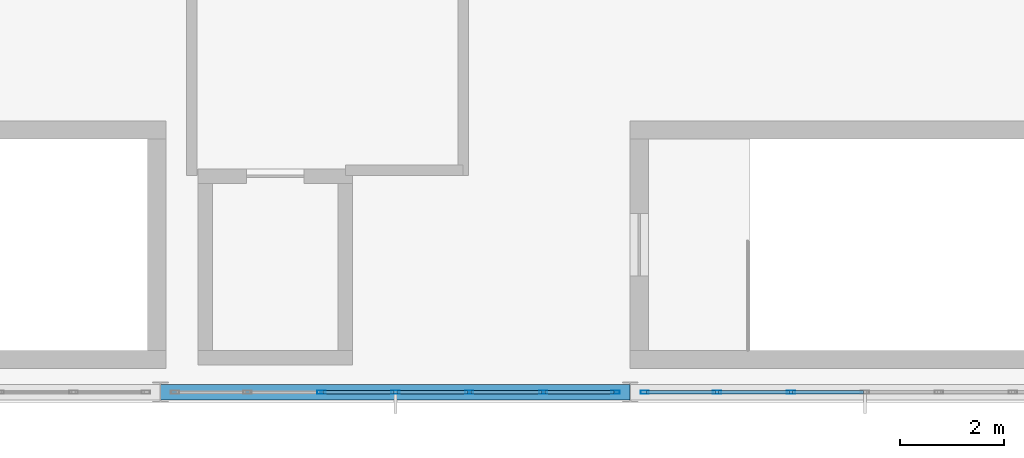
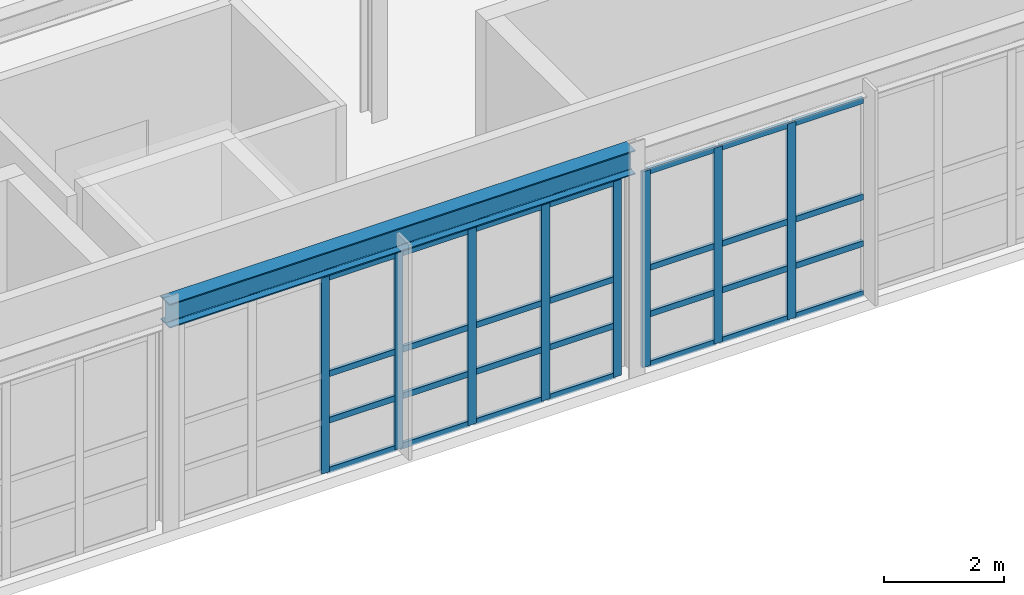
# One storey, part 9 of 38: 36 members, 1 beam, 2 elements without a shape of their own.
"""IFC4 building model written with IfcOpenShell, lengths in metres."""

import ifcopenshell
import ifcopenshell.guid

model = None  # the IFC model being written
_history = None  # IfcOwnerHistory: only IFC2X3 demands one
_inside = {}  # id of a spatial element -> (the spatial element, [elements in it])
_under = {}  # id of a project, library or spatial element -> (it, [spatial elements below it])
_declared = {}  # id of a project -> (the project, [libraries it declares])
_typed = {}  # id of a type object -> (the type object, [elements of that type])
_made_of = {}  # id of a material, layer set ... -> (it, [elements and type objects made of it])


def new_model(schema):
    """Start an empty IFC model of exactly this schema.

    Asked for "IFC4X3", IfcOpenShell would pick the latest addendum, in which some entities
    have other attributes; the version numbers below select the first issue.
    IFC2X3 requires an IfcOwnerHistory on every rooted entity: one is made here for all.
    """
    global model, _history
    if schema == "IFC4X3":
        model = ifcopenshell.file(schema_version=(4, 3, 0, 0))
    else:
        model = ifcopenshell.file(schema=schema)
    _inside.clear()
    _under.clear()
    _declared.clear()
    _typed.clear()
    _made_of.clear()
    _history = None
    if model.schema == "IFC2X3":
        org = make("IfcOrganization", Name="unknown")
        user = make(
            "IfcPersonAndOrganization",
            ThePerson=make("IfcPerson", FamilyName="unknown"),
            TheOrganization=org,
        )
        app = make(
            "IfcApplication",
            ApplicationDeveloper=org,
            Version="unknown",
            ApplicationFullName="unknown",
            ApplicationIdentifier="unknown",
        )
        _history = make(
            "IfcOwnerHistory",
            OwningUser=user,
            OwningApplication=app,
            ChangeAction="ADDED",
            CreationDate=0,
        )
    return model


def make(cls, **values):
    """One entity of the class cls with the attributes given. An attribute that is None is left unset."""
    return model.create_entity(
        cls, **{name: value for name, value in values.items() if value is not None}
    )


def rooted(cls, **values):
    """An entity with a GlobalId (a new one), such as an element, a storey or a relation."""
    return make(cls, GlobalId=ifcopenshell.guid.new(), OwnerHistory=_history, **values)


def si_unit(unit_type, name, prefix=None):
    """IfcSIUnit, for example si_unit("LENGTHUNIT", "METRE", prefix="MILLI")."""
    return make("IfcSIUnit", UnitType=unit_type, Prefix=prefix, Name=name)


def assignment(units):
    """IfcUnitAssignment: the units of a project."""
    return None if units is None else make("IfcUnitAssignment", Units=units)


def point(xyz):
    """IfcCartesianPoint."""
    return None if xyz is None else make("IfcCartesianPoint", Coordinates=xyz)


def direction(xyz):
    """IfcDirection."""
    return None if xyz is None else make("IfcDirection", DirectionRatios=xyz)


def frame(location, z_axis=None, x_axis=None):
    """IfcAxis2Placement3D, a coordinate frame: its origin and axes. An axis left out is left unset."""
    return make(
        "IfcAxis2Placement3D",
        Location=point(location),
        Axis=direction(z_axis),
        RefDirection=direction(x_axis),
    )


def frame_2d(location, x_axis=None):
    """IfcAxis2Placement2D, a coordinate frame in the plane: its origin and x axis."""
    return make(
        "IfcAxis2Placement2D", Location=point(location), RefDirection=direction(x_axis)
    )


def origin():
    """The frame at (0, 0, 0) with its axes left unset."""
    return frame((0.0, 0.0, 0.0))


def origin_2d():
    """The frame at (0, 0) in the plane with its x axis left unset."""
    return frame_2d((0.0, 0.0))


def place(relative_to, where):
    """IfcLocalPlacement: puts the frame where relative to a parent placement (None: the world)."""
    return make(
        "IfcLocalPlacement", PlacementRelTo=relative_to, RelativePlacement=where
    )


def context(
    kind, dimensions, precision=None, world=None, true_north=None, identifier=None
):
    """IfcGeometricRepresentationContext, for example the 3D "Model" context."""
    return make(
        "IfcGeometricRepresentationContext",
        ContextIdentifier=identifier,
        ContextType=kind,
        CoordinateSpaceDimension=dimensions,
        Precision=precision,
        WorldCoordinateSystem=world,
        TrueNorth=true_north,
    )


def subcontext(parent, identifier, kind, view, scale=None):
    """IfcGeometricRepresentationSubContext, for example "Body" below "Model"."""
    return make(
        "IfcGeometricRepresentationSubContext",
        ContextIdentifier=identifier,
        ContextType=kind,
        ParentContext=parent,
        TargetScale=scale,
        TargetView=view,
    )


def project(units=None, contexts=None):
    """IfcProject with its units and contexts."""
    return rooted(
        "IfcProject",
        Name="project",
        RepresentationContexts=contexts,
        UnitsInContext=assignment(units),
    )


def spatial(cls, under=None, at=None, **own):
    """A site, building, storey or space (cls), placed at a placement, below another one or the project."""
    s = rooted(cls, ObjectPlacement=at, **own)
    if under is not None:
        _under.setdefault(under.id(), (under, []))[1].append(s)
    return s


def profile(cls, at=None, kind="AREA", **sizes):
    """A parametric profile (cls). Its sizes go by their IFC names, for example OverallWidth=200.0."""
    return make(cls, ProfileType=kind, Position=at, **sizes)


def hollow_rectangle(**sizes):
    """IfcRectangleHollowProfileDef."""
    return profile("IfcRectangleHollowProfileDef", **sizes)


def i_section(**sizes):
    """IfcIShapeProfileDef."""
    return profile("IfcIShapeProfileDef", **sizes)


def extrude(swept, where, along, depth):
    """IfcExtrudedAreaSolid: the profile swept, set in the frame where, extruded along a direction by depth."""
    return make(
        "IfcExtrudedAreaSolid",
        SweptArea=swept,
        Position=where,
        ExtrudedDirection=direction(along),
        Depth=depth,
    )


def shape(context_of_items, identifier, shape_type, items):
    """IfcShapeRepresentation: the items that make up one representation, for example the "Body"."""
    return make(
        "IfcShapeRepresentation",
        ContextOfItems=context_of_items,
        RepresentationIdentifier=identifier,
        RepresentationType=shape_type,
        Items=items,
    )


def material(Name=None, Category=None):
    """IfcMaterial."""
    return make("IfcMaterial", Name=Name, Category=Category)


def material_profile(
    of_material, cross_section, Name=None, Category=None, Priority=None
):
    """IfcMaterialProfile: a cross section and its material."""
    return make(
        "IfcMaterialProfile",
        Name=Name,
        Material=of_material,
        Profile=cross_section,
        Priority=Priority,
        Category=Category,
    )


def profile_set(profiles, Name=None, composite=None):
    """IfcMaterialProfileSet."""
    return make(
        "IfcMaterialProfileSet",
        Name=Name,
        MaterialProfiles=profiles,
        CompositeProfile=composite,
    )


def made_of(thing, what):
    """Note that an element or type object is made of a material, layer set ...; save() writes the relation."""
    if what is not None:
        _made_of.setdefault(what.id(), (what, []))[1].append(thing)
    return thing


def type_object(cls, material=None, **own):
    """A type object (cls), such as IfcWallType, which elements share."""
    return made_of(rooted(cls, **own), material)


def element(
    cls,
    number,
    at=None,
    inside=None,
    cuts=None,
    type_object=None,
    material=None,
    context=None,
    identifier="Body",
    shape_type=None,
    held_by="IfcProductDefinitionShape",
    body=None,
    shapes=None,
    **own,
):
    """One element of the class cls, such as IfcWall. Its Tag is "e" and its number.

    at: its placement. inside: the storey or other place that contains it. cuts: it is an
    opening in that element (IfcRelVoidsElement). A single representation is given by context,
    identifier, shape_type and body (its items); several are given by shapes. held_by: the class
    of the entity that holds the representations. save() writes the other relations.
    """
    e = rooted(cls, Tag="e%d" % number, ObjectPlacement=at, **own)
    if body is not None:
        shapes = [shape(context, identifier, shape_type, body)]
    if shapes is not None:
        e.Representation = make(held_by, Representations=shapes)
    if inside is not None:
        _inside.setdefault(inside.id(), (inside, []))[1].append(e)
    if cuts is not None:
        rooted(
            "IfcRelVoidsElement", RelatingBuildingElement=cuts, RelatedOpeningElement=e
        )
    if type_object is not None:
        _typed.setdefault(type_object.id(), (type_object, []))[1].append(e)
    return made_of(e, material)


def aggregate(whole, parts):
    """IfcRelAggregates: a whole, such as a stair, and the parts it consists of."""
    return rooted("IfcRelAggregates", RelatingObject=whole, RelatedObjects=parts)


def save(model, path):
    """Write the relations noted so far, then the file.

    IfcRelAggregates (storeys below a building ...), IfcRelContainedInSpatialStructure (elements
    in a storey), IfcRelDefinesByType, IfcRelAssociatesMaterial and IfcRelDeclares: one each for
    every whole, place, type object, material and project.
    """
    for whole, parts in _under.values():
        aggregate(whole, parts)
    for where, things in _inside.values():
        rooted(
            "IfcRelContainedInSpatialStructure",
            RelatedElements=things,
            RelatingStructure=where,
        )
    for kind, things in _typed.values():
        rooted("IfcRelDefinesByType", RelatedObjects=things, RelatingType=kind)
    for what, things in _made_of.values():
        rooted("IfcRelAssociatesMaterial", RelatedObjects=things, RelatingMaterial=what)
    for by, libraries in _declared.values():
        rooted("IfcRelDeclares", RelatingContext=by, RelatedDefinitions=libraries)
    model.write(path)


model = new_model("IFC4")

# Units and contexts
model_context = context("Model", 3, precision=1e-05, world=origin(), true_north=direction((0.0, 1.0)))
body_context = subcontext(model_context, "Body", "Model", "MODEL_VIEW")
ifc_project = project(units=[si_unit("LENGTHUNIT", "METRE"), si_unit("AREAUNIT", "SQUARE_METRE"), si_unit("VOLUMEUNIT", "CUBIC_METRE"), si_unit("PLANEANGLEUNIT", "RADIAN"), si_unit("MASSUNIT", "GRAM", prefix="KILO")], contexts=[model_context])

# Site, building, storey
site_placement = place(None, origin())
site = spatial("IfcSite", under=ifc_project, at=site_placement, CompositionType="ELEMENT")
building_placement = place(site_placement, origin())
building = spatial("IfcBuilding", under=site, at=building_placement, Name="Kaldris Quays Convention Centre", CompositionType="ELEMENT")
storey_placement = place(building_placement, frame((0.0, 0.0, 21.60009765625)))
storey = spatial("IfcBuildingStorey", under=building, at=storey_placement, Name="L04", CompositionType="ELEMENT", Elevation=21.60009765625)

# Curtain wall, members
ifc_material_1 = material(Name="Anodized aluminium AW-6060 and triple glazing", Category="aluminium")
curtain_wall_type = type_object("IfcCurtainWallType", Name="UNITISED CURTAIN WALL CW04", PredefinedType="NOTDEFINED", material=ifc_material_1)
curtain_wall_1_placement = place(storey_placement, origin())
curtain_wall_1 = element("IfcCurtainWall", 1, at=curtain_wall_1_placement, inside=storey, type_object=curtain_wall_type, Name="L04 Unitised Curtain Wall CW04 130", PredefinedType="NOTDEFINED")
ifc_material_2 = material(Name="Anodized aluminium AW-6060", Category="aluminium")
ifc_material_profile_1 = material_profile(ifc_material_2, hollow_rectangle(XDim=0.06005859375, YDim=0.159912109375, WallThickness=0.00390625, at=origin_2d()), Name="RHS 160x60x4")
ifc_profile_set_1 = profile_set([ifc_material_profile_1], Name="Anodized aluminium AW-6060")
member_type_1 = type_object("IfcMemberType", Name="CURTAIN MULLION CWM1", PredefinedType="MULLION", material=ifc_profile_set_1)
member_1_placement = place(storey_placement, frame((104.083251953125, 38.0, 0.0), z_axis=(0.0, 0.0, 1.0), x_axis=(0.0, 1.0, 0.0)))
member_1 = element("IfcMember", 2, at=member_1_placement, type_object=member_type_1, Name="CW04 mullion 3", PredefinedType="MULLION", context=body_context, shape_type="SweptSolid", body=[
    extrude(hollow_rectangle(XDim=0.06005859375, YDim=0.159912109375, WallThickness=0.00390625, at=origin_2d()), origin(), (0.0, 0.0, 1.0), 4.0),
])
member_2_placement = place(storey_placement, frame((105.5, 38.0, 0.0), z_axis=(0.0, 0.0, 1.0), x_axis=(0.0, 1.0, 0.0)))
member_2 = element("IfcMember", 3, at=member_2_placement, type_object=member_type_1, Name="CW04 mullion 4", PredefinedType="MULLION", context=body_context, shape_type="SweptSolid", body=[
    extrude(hollow_rectangle(XDim=0.06005859375, YDim=0.159912109375, WallThickness=0.00390625, at=origin_2d()), origin(), (0.0, 0.0, 1.0), 4.0),
])
member_3_placement = place(storey_placement, frame((106.916748046875, 38.0, 0.0), z_axis=(0.0, 0.0, 1.0), x_axis=(0.0, 1.0, 0.0)))
member_3 = element("IfcMember", 4, at=member_3_placement, type_object=member_type_1, Name="CW04 mullion 5", PredefinedType="MULLION", context=body_context, shape_type="SweptSolid", body=[
    extrude(hollow_rectangle(XDim=0.06005859375, YDim=0.159912109375, WallThickness=0.00390625, at=origin_2d()), origin(), (0.0, 0.0, 1.0), 4.0),
])
member_4_placement = place(storey_placement, frame((108.333251953125, 38.0, 0.0), z_axis=(0.0, 0.0, 1.0), x_axis=(0.0, 1.0, 0.0)))
member_4 = element("IfcMember", 5, at=member_4_placement, type_object=member_type_1, Name="CW04 mullion 6", PredefinedType="MULLION", context=body_context, shape_type="SweptSolid", body=[
    extrude(hollow_rectangle(XDim=0.06005859375, YDim=0.159912109375, WallThickness=0.00390625, at=origin_2d()), origin(), (0.0, 0.0, 1.0), 4.0),
])
member_5_placement = place(storey_placement, frame((109.719970703125, 38.0, 0.0), z_axis=(0.0, 0.0, 1.0), x_axis=(0.0, 1.0, 0.0)))
member_5 = element("IfcMember", 6, at=member_5_placement, type_object=member_type_1, Name="CW04 mullion 7", PredefinedType="MULLION", context=body_context, shape_type="SweptSolid", body=[
    extrude(hollow_rectangle(XDim=0.06005859375, YDim=0.159912109375, WallThickness=0.00390625, at=origin_2d()), origin(), (0.0, 0.0, 1.0), 4.0),
])

curtain_wall_2_placement = place(storey_placement, origin())
curtain_wall_2 = element("IfcCurtainWall", 7, at=curtain_wall_2_placement, inside=storey, type_object=curtain_wall_type, Name="L04 Unitised Curtain Wall CW04 131", PredefinedType="NOTDEFINED")
member_6_placement = place(storey_placement, frame((110.280029296875, 38.0, 0.0), z_axis=(0.0, 0.0, 1.0), x_axis=(0.0, 1.0, 0.0)))
member_6 = element("IfcMember", 8, at=member_6_placement, type_object=member_type_1, Name="CW04 mullion 1", PredefinedType="MULLION", context=body_context, shape_type="SweptSolid", body=[
    extrude(hollow_rectangle(XDim=0.06005859375, YDim=0.159912109375, WallThickness=0.00390625, at=origin_2d()), origin(), (0.0, 0.0, 1.0), 4.0),
])
member_7_placement = place(storey_placement, frame((111.666748046875, 38.0, 0.0), z_axis=(0.0, 0.0, 1.0), x_axis=(0.0, 1.0, 0.0)))
member_7 = element("IfcMember", 9, at=member_7_placement, type_object=member_type_1, Name="CW04 mullion 2", PredefinedType="MULLION", context=body_context, shape_type="SweptSolid", body=[
    extrude(hollow_rectangle(XDim=0.06005859375, YDim=0.159912109375, WallThickness=0.00390625, at=origin_2d()), origin(), (0.0, 0.0, 1.0), 4.0),
])
member_8_placement = place(storey_placement, frame((113.083251953125, 38.0, 0.0), z_axis=(0.0, 0.0, 1.0), x_axis=(0.0, 1.0, 0.0)))
member_8 = element("IfcMember", 10, at=member_8_placement, type_object=member_type_1, Name="CW04 mullion 3", PredefinedType="MULLION", context=body_context, shape_type="SweptSolid", body=[
    extrude(hollow_rectangle(XDim=0.06005859375, YDim=0.159912109375, WallThickness=0.00390625, at=origin_2d()), origin(), (0.0, 0.0, 1.0), 4.0),
])

# Member
ifc_material_profile_2 = material_profile(ifc_material_2, hollow_rectangle(XDim=0.06005859375, YDim=0.1201171875, WallThickness=0.00390625, at=origin_2d()), Name="RHS 120x60x4")
ifc_profile_set_2 = profile_set([ifc_material_profile_2], Name="Anodized aluminium AW-6060")
member_type_2 = type_object("IfcMemberType", Name="CURTAIN TRANSOM CWT1", PredefinedType="USERDEFINED", material=ifc_profile_set_2)
member_9_placement = place(storey_placement, frame((104.11328125, 38.0, 0.02978515625), z_axis=(1.0, 0.0, 0.0), x_axis=(0.0, 1.0, 0.0)))
member_9 = element("IfcMember", 11, at=member_9_placement, type_object=member_type_2, Name="CW04 transom 3.1", ObjectType="TRANSOM", PredefinedType="USERDEFINED", context=body_context, shape_type="SweptSolid", body=[
    extrude(hollow_rectangle(XDim=0.06005859375, YDim=0.1201171875, WallThickness=0.00390625, at=origin_2d()), origin(), (0.0, 0.0, 1.0), 1.356689453125),
])

member_10_placement = place(storey_placement, frame((104.11328125, 38.0, 1.0498046875), z_axis=(1.0, 0.0, 0.0), x_axis=(0.0, 1.0, 0.0)))
member_10 = element("IfcMember", 12, at=member_10_placement, type_object=member_type_2, Name="CW04 transom 3.2", ObjectType="TRANSOM", PredefinedType="USERDEFINED", context=body_context, shape_type="SweptSolid", body=[
    extrude(hollow_rectangle(XDim=0.06005859375, YDim=0.1201171875, WallThickness=0.00390625, at=origin_2d()), origin(), (0.0, 0.0, 1.0), 1.356689453125),
])

member_11_placement = place(storey_placement, frame((104.11328125, 38.0, 2.0), z_axis=(1.0, 0.0, 0.0), x_axis=(0.0, 1.0, 0.0)))
member_11 = element("IfcMember", 13, at=member_11_placement, type_object=member_type_2, Name="CW04 transom 3.3", ObjectType="TRANSOM", PredefinedType="USERDEFINED", context=body_context, shape_type="SweptSolid", body=[
    extrude(hollow_rectangle(XDim=0.06005859375, YDim=0.1201171875, WallThickness=0.00390625, at=origin_2d()), origin(), (0.0, 0.0, 1.0), 1.356689453125),
])

member_12_placement = place(storey_placement, frame((104.11328125, 38.0, 3.969970703125), z_axis=(1.0, 0.0, 0.0), x_axis=(0.0, 1.0, 0.0)))
member_12 = element("IfcMember", 14, at=member_12_placement, type_object=member_type_2, Name="CW04 transom 3.4", ObjectType="TRANSOM", PredefinedType="USERDEFINED", context=body_context, shape_type="SweptSolid", body=[
    extrude(hollow_rectangle(XDim=0.06005859375, YDim=0.1201171875, WallThickness=0.00390625, at=origin_2d()), origin(), (0.0, 0.0, 1.0), 1.356689453125),
])

member_13_placement = place(storey_placement, frame((105.530029296875, 38.0, 0.02978515625), z_axis=(1.0, 0.0, 0.0), x_axis=(0.0, 1.0, 0.0)))
member_13 = element("IfcMember", 15, at=member_13_placement, type_object=member_type_2, Name="CW04 transom 4.1", ObjectType="TRANSOM", PredefinedType="USERDEFINED", context=body_context, shape_type="SweptSolid", body=[
    extrude(hollow_rectangle(XDim=0.06005859375, YDim=0.1201171875, WallThickness=0.00390625, at=origin_2d()), origin(), (0.0, 0.0, 1.0), 1.356689453125),
])

member_14_placement = place(storey_placement, frame((105.530029296875, 38.0, 1.0498046875), z_axis=(1.0, 0.0, 0.0), x_axis=(0.0, 1.0, 0.0)))
member_14 = element("IfcMember", 16, at=member_14_placement, type_object=member_type_2, Name="CW04 transom 4.2", ObjectType="TRANSOM", PredefinedType="USERDEFINED", context=body_context, shape_type="SweptSolid", body=[
    extrude(hollow_rectangle(XDim=0.06005859375, YDim=0.1201171875, WallThickness=0.00390625, at=origin_2d()), origin(), (0.0, 0.0, 1.0), 1.356689453125),
])

member_15_placement = place(storey_placement, frame((105.530029296875, 38.0, 2.0), z_axis=(1.0, 0.0, 0.0), x_axis=(0.0, 1.0, 0.0)))
member_15 = element("IfcMember", 17, at=member_15_placement, type_object=member_type_2, Name="CW04 transom 4.3", ObjectType="TRANSOM", PredefinedType="USERDEFINED", context=body_context, shape_type="SweptSolid", body=[
    extrude(hollow_rectangle(XDim=0.06005859375, YDim=0.1201171875, WallThickness=0.00390625, at=origin_2d()), origin(), (0.0, 0.0, 1.0), 1.356689453125),
])

member_16_placement = place(storey_placement, frame((105.530029296875, 38.0, 3.969970703125), z_axis=(1.0, 0.0, 0.0), x_axis=(0.0, 1.0, 0.0)))
member_16 = element("IfcMember", 18, at=member_16_placement, type_object=member_type_2, Name="CW04 transom 4.4", ObjectType="TRANSOM", PredefinedType="USERDEFINED", context=body_context, shape_type="SweptSolid", body=[
    extrude(hollow_rectangle(XDim=0.06005859375, YDim=0.1201171875, WallThickness=0.00390625, at=origin_2d()), origin(), (0.0, 0.0, 1.0), 1.356689453125),
])

member_17_placement = place(storey_placement, frame((106.94677734375, 38.0, 0.02978515625), z_axis=(1.0, 0.0, 0.0), x_axis=(0.0, 1.0, 0.0)))
member_17 = element("IfcMember", 19, at=member_17_placement, type_object=member_type_2, Name="CW04 transom 5.1", ObjectType="TRANSOM", PredefinedType="USERDEFINED", context=body_context, shape_type="SweptSolid", body=[
    extrude(hollow_rectangle(XDim=0.06005859375, YDim=0.1201171875, WallThickness=0.00390625, at=origin_2d()), origin(), (0.0, 0.0, 1.0), 1.3564453125),
])

member_18_placement = place(storey_placement, frame((106.94677734375, 38.0, 1.0498046875), z_axis=(1.0, 0.0, 0.0), x_axis=(0.0, 1.0, 0.0)))
member_18 = element("IfcMember", 20, at=member_18_placement, type_object=member_type_2, Name="CW04 transom 5.2", ObjectType="TRANSOM", PredefinedType="USERDEFINED", context=body_context, shape_type="SweptSolid", body=[
    extrude(hollow_rectangle(XDim=0.06005859375, YDim=0.1201171875, WallThickness=0.00390625, at=origin_2d()), origin(), (0.0, 0.0, 1.0), 1.3564453125),
])

member_19_placement = place(storey_placement, frame((106.94677734375, 38.0, 2.0), z_axis=(1.0, 0.0, 0.0), x_axis=(0.0, 1.0, 0.0)))
member_19 = element("IfcMember", 21, at=member_19_placement, type_object=member_type_2, Name="CW04 transom 5.3", ObjectType="TRANSOM", PredefinedType="USERDEFINED", context=body_context, shape_type="SweptSolid", body=[
    extrude(hollow_rectangle(XDim=0.06005859375, YDim=0.1201171875, WallThickness=0.00390625, at=origin_2d()), origin(), (0.0, 0.0, 1.0), 1.3564453125),
])

member_20_placement = place(storey_placement, frame((106.94677734375, 38.0, 3.969970703125), z_axis=(1.0, 0.0, 0.0), x_axis=(0.0, 1.0, 0.0)))
member_20 = element("IfcMember", 22, at=member_20_placement, type_object=member_type_2, Name="CW04 transom 5.4", ObjectType="TRANSOM", PredefinedType="USERDEFINED", context=body_context, shape_type="SweptSolid", body=[
    extrude(hollow_rectangle(XDim=0.06005859375, YDim=0.1201171875, WallThickness=0.00390625, at=origin_2d()), origin(), (0.0, 0.0, 1.0), 1.3564453125),
])

member_21_placement = place(storey_placement, frame((108.36328125, 38.0, 0.02978515625), z_axis=(1.0, 0.0, 0.0), x_axis=(0.0, 1.0, 0.0)))
member_21 = element("IfcMember", 23, at=member_21_placement, type_object=member_type_2, Name="CW04 transom 6.1", ObjectType="TRANSOM", PredefinedType="USERDEFINED", context=body_context, shape_type="SweptSolid", body=[
    extrude(hollow_rectangle(XDim=0.06005859375, YDim=0.1201171875, WallThickness=0.00390625, at=origin_2d()), origin(), (0.0, 0.0, 1.0), 1.32666015625),
])

member_22_placement = place(storey_placement, frame((108.36328125, 38.0, 1.0498046875), z_axis=(1.0, 0.0, 0.0), x_axis=(0.0, 1.0, 0.0)))
member_22 = element("IfcMember", 24, at=member_22_placement, type_object=member_type_2, Name="CW04 transom 6.2", ObjectType="TRANSOM", PredefinedType="USERDEFINED", context=body_context, shape_type="SweptSolid", body=[
    extrude(hollow_rectangle(XDim=0.06005859375, YDim=0.1201171875, WallThickness=0.00390625, at=origin_2d()), origin(), (0.0, 0.0, 1.0), 1.32666015625),
])

member_23_placement = place(storey_placement, frame((108.36328125, 38.0, 2.0), z_axis=(1.0, 0.0, 0.0), x_axis=(0.0, 1.0, 0.0)))
member_23 = element("IfcMember", 25, at=member_23_placement, type_object=member_type_2, Name="CW04 transom 6.3", ObjectType="TRANSOM", PredefinedType="USERDEFINED", context=body_context, shape_type="SweptSolid", body=[
    extrude(hollow_rectangle(XDim=0.06005859375, YDim=0.1201171875, WallThickness=0.00390625, at=origin_2d()), origin(), (0.0, 0.0, 1.0), 1.32666015625),
])

member_24_placement = place(storey_placement, frame((108.36328125, 38.0, 3.969970703125), z_axis=(1.0, 0.0, 0.0), x_axis=(0.0, 1.0, 0.0)))
member_24 = element("IfcMember", 26, at=member_24_placement, type_object=member_type_2, Name="CW04 transom 6.4", ObjectType="TRANSOM", PredefinedType="USERDEFINED", context=body_context, shape_type="SweptSolid", body=[
    extrude(hollow_rectangle(XDim=0.06005859375, YDim=0.1201171875, WallThickness=0.00390625, at=origin_2d()), origin(), (0.0, 0.0, 1.0), 1.32666015625),
])

aggregate(curtain_wall_1, [member_1, member_2, member_3, member_4, member_5, member_9, member_10, member_11, member_12, member_13, member_14, member_15, member_16, member_17, member_18, member_19, member_20, member_21, member_22, member_23, member_24])

member_25_placement = place(storey_placement, frame((110.31005859375, 38.0, 0.02978515625), z_axis=(1.0, 0.0, 0.0), x_axis=(0.0, 1.0, 0.0)))
member_25 = element("IfcMember", 27, at=member_25_placement, type_object=member_type_2, Name="CW04 transom 1.1", ObjectType="TRANSOM", PredefinedType="USERDEFINED", context=body_context, shape_type="SweptSolid", body=[
    extrude(hollow_rectangle(XDim=0.06005859375, YDim=0.1201171875, WallThickness=0.00390625, at=origin_2d()), origin(), (0.0, 0.0, 1.0), 1.32666015625),
])

member_26_placement = place(storey_placement, frame((110.31005859375, 38.0, 1.0498046875), z_axis=(1.0, 0.0, 0.0), x_axis=(0.0, 1.0, 0.0)))
member_26 = element("IfcMember", 28, at=member_26_placement, type_object=member_type_2, Name="CW04 transom 1.2", ObjectType="TRANSOM", PredefinedType="USERDEFINED", context=body_context, shape_type="SweptSolid", body=[
    extrude(hollow_rectangle(XDim=0.06005859375, YDim=0.1201171875, WallThickness=0.00390625, at=origin_2d()), origin(), (0.0, 0.0, 1.0), 1.32666015625),
])

member_27_placement = place(storey_placement, frame((110.31005859375, 38.0, 2.0), z_axis=(1.0, 0.0, 0.0), x_axis=(0.0, 1.0, 0.0)))
member_27 = element("IfcMember", 29, at=member_27_placement, type_object=member_type_2, Name="CW04 transom 1.3", ObjectType="TRANSOM", PredefinedType="USERDEFINED", context=body_context, shape_type="SweptSolid", body=[
    extrude(hollow_rectangle(XDim=0.06005859375, YDim=0.1201171875, WallThickness=0.00390625, at=origin_2d()), origin(), (0.0, 0.0, 1.0), 1.32666015625),
])

member_28_placement = place(storey_placement, frame((110.31005859375, 38.0, 3.969970703125), z_axis=(1.0, 0.0, 0.0), x_axis=(0.0, 1.0, 0.0)))
member_28 = element("IfcMember", 30, at=member_28_placement, type_object=member_type_2, Name="CW04 transom 1.4", ObjectType="TRANSOM", PredefinedType="USERDEFINED", context=body_context, shape_type="SweptSolid", body=[
    extrude(hollow_rectangle(XDim=0.06005859375, YDim=0.1201171875, WallThickness=0.00390625, at=origin_2d()), origin(), (0.0, 0.0, 1.0), 1.32666015625),
])

member_29_placement = place(storey_placement, frame((111.69677734375, 38.0, 0.02978515625), z_axis=(1.0, 0.0, 0.0), x_axis=(0.0, 1.0, 0.0)))
member_29 = element("IfcMember", 31, at=member_29_placement, type_object=member_type_2, Name="CW04 transom 2.1", ObjectType="TRANSOM", PredefinedType="USERDEFINED", context=body_context, shape_type="SweptSolid", body=[
    extrude(hollow_rectangle(XDim=0.06005859375, YDim=0.1201171875, WallThickness=0.00390625, at=origin_2d()), origin(), (0.0, 0.0, 1.0), 1.3564453125),
])

member_30_placement = place(storey_placement, frame((111.69677734375, 38.0, 1.0498046875), z_axis=(1.0, 0.0, 0.0), x_axis=(0.0, 1.0, 0.0)))
member_30 = element("IfcMember", 32, at=member_30_placement, type_object=member_type_2, Name="CW04 transom 2.2", ObjectType="TRANSOM", PredefinedType="USERDEFINED", context=body_context, shape_type="SweptSolid", body=[
    extrude(hollow_rectangle(XDim=0.06005859375, YDim=0.1201171875, WallThickness=0.00390625, at=origin_2d()), origin(), (0.0, 0.0, 1.0), 1.3564453125),
])

member_31_placement = place(storey_placement, frame((111.69677734375, 38.0, 2.0), z_axis=(1.0, 0.0, 0.0), x_axis=(0.0, 1.0, 0.0)))
member_31 = element("IfcMember", 33, at=member_31_placement, type_object=member_type_2, Name="CW04 transom 2.3", ObjectType="TRANSOM", PredefinedType="USERDEFINED", context=body_context, shape_type="SweptSolid", body=[
    extrude(hollow_rectangle(XDim=0.06005859375, YDim=0.1201171875, WallThickness=0.00390625, at=origin_2d()), origin(), (0.0, 0.0, 1.0), 1.3564453125),
])

member_32_placement = place(storey_placement, frame((111.69677734375, 38.0, 3.969970703125), z_axis=(1.0, 0.0, 0.0), x_axis=(0.0, 1.0, 0.0)))
member_32 = element("IfcMember", 34, at=member_32_placement, type_object=member_type_2, Name="CW04 transom 2.4", ObjectType="TRANSOM", PredefinedType="USERDEFINED", context=body_context, shape_type="SweptSolid", body=[
    extrude(hollow_rectangle(XDim=0.06005859375, YDim=0.1201171875, WallThickness=0.00390625, at=origin_2d()), origin(), (0.0, 0.0, 1.0), 1.3564453125),
])

member_33_placement = place(storey_placement, frame((113.11328125, 38.0, 0.02978515625), z_axis=(1.0, 0.0, 0.0), x_axis=(0.0, 1.0, 0.0)))
member_33 = element("IfcMember", 35, at=member_33_placement, type_object=member_type_2, Name="CW04 transom 3.1", ObjectType="TRANSOM", PredefinedType="USERDEFINED", context=body_context, shape_type="SweptSolid", body=[
    extrude(hollow_rectangle(XDim=0.06005859375, YDim=0.1201171875, WallThickness=0.00390625, at=origin_2d()), origin(), (0.0, 0.0, 1.0), 1.356689453125),
])

member_34_placement = place(storey_placement, frame((113.11328125, 38.0, 1.0498046875), z_axis=(1.0, 0.0, 0.0), x_axis=(0.0, 1.0, 0.0)))
member_34 = element("IfcMember", 36, at=member_34_placement, type_object=member_type_2, Name="CW04 transom 3.2", ObjectType="TRANSOM", PredefinedType="USERDEFINED", context=body_context, shape_type="SweptSolid", body=[
    extrude(hollow_rectangle(XDim=0.06005859375, YDim=0.1201171875, WallThickness=0.00390625, at=origin_2d()), origin(), (0.0, 0.0, 1.0), 1.356689453125),
])

member_35_placement = place(storey_placement, frame((113.11328125, 38.0, 2.0), z_axis=(1.0, 0.0, 0.0), x_axis=(0.0, 1.0, 0.0)))
member_35 = element("IfcMember", 37, at=member_35_placement, type_object=member_type_2, Name="CW04 transom 3.3", ObjectType="TRANSOM", PredefinedType="USERDEFINED", context=body_context, shape_type="SweptSolid", body=[
    extrude(hollow_rectangle(XDim=0.06005859375, YDim=0.1201171875, WallThickness=0.00390625, at=origin_2d()), origin(), (0.0, 0.0, 1.0), 1.356689453125),
])

member_36_placement = place(storey_placement, frame((113.11328125, 38.0, 3.969970703125), z_axis=(1.0, 0.0, 0.0), x_axis=(0.0, 1.0, 0.0)))
member_36 = element("IfcMember", 38, at=member_36_placement, type_object=member_type_2, Name="CW04 transom 3.4", ObjectType="TRANSOM", PredefinedType="USERDEFINED", context=body_context, shape_type="SweptSolid", body=[
    extrude(hollow_rectangle(XDim=0.06005859375, YDim=0.1201171875, WallThickness=0.00390625, at=origin_2d()), origin(), (0.0, 0.0, 1.0), 1.356689453125),
])

aggregate(curtain_wall_2, [member_6, member_7, member_8, member_25, member_26, member_27, member_28, member_29, member_30, member_31, member_32, member_33, member_34, member_35, member_36])

# Beam
ifc_material_3 = material(Name="Steel S355J2", Category="steel")
ifc_material_profile_3 = material_profile(ifc_material_3, i_section(OverallWidth=0.300048828125, OverallDepth=0.489990234375, WebThickness=0.011962890625, FlangeThickness=0.02294921875, FilletRadius=0.027099609375, at=origin_2d()), Name="HEA 500")
ifc_profile_set_3 = profile_set([ifc_material_profile_3], Name="Steel S355J2")
beam_type = type_object("IfcBeamType", Name="STRUCTURAL BEAM BM09", PredefinedType="BEAM", material=ifc_profile_set_3)
beam_placement = place(storey_placement, frame((101.000732421875, 38.0, 4.347900390625), z_axis=(1.0, 0.0, 0.0), x_axis=(0.0, 1.0, 0.0)))
element("IfcBeam", 39, at=beam_placement, inside=storey, type_object=beam_type, Name="L04 Girder BM09 2", PredefinedType="BEAM", context=body_context, shape_type="SweptSolid", body=[
    extrude(i_section(OverallWidth=0.300048828125, OverallDepth=0.489990234375, WebThickness=0.011962890625, FlangeThickness=0.02294921875, FilletRadius=0.027099609375, at=origin_2d()), origin(), (0.0, 0.0, 1.0), 8.99853515625),
])

save(model, "model.ifc")
